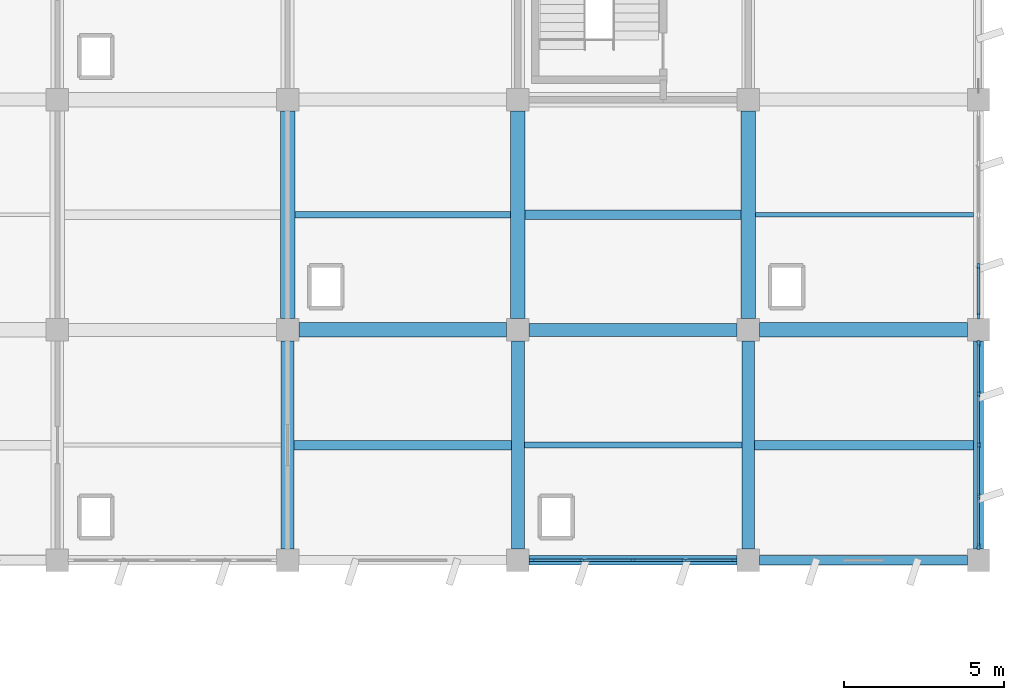
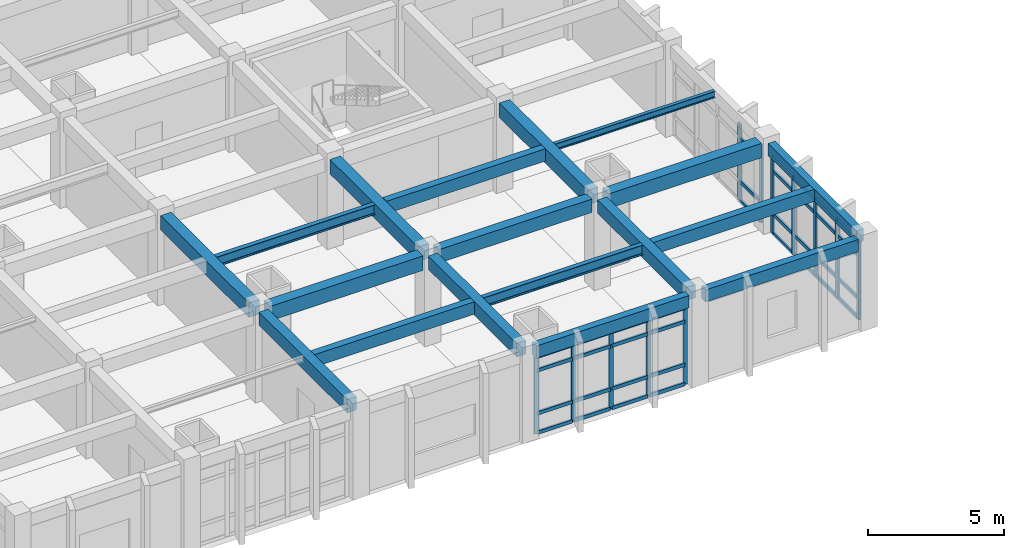
# One storey, part 25 of 70: 50 members, 15 beams, 3 elements without a shape of their own.
"""IFC4 building model written with IfcOpenShell, lengths in metres."""

import ifcopenshell
import ifcopenshell.guid

model = None  # the IFC model being written
_history = None  # IfcOwnerHistory: only IFC2X3 demands one
_inside = {}  # id of a spatial element -> (the spatial element, [elements in it])
_under = {}  # id of a project, library or spatial element -> (it, [spatial elements below it])
_declared = {}  # id of a project -> (the project, [libraries it declares])
_typed = {}  # id of a type object -> (the type object, [elements of that type])
_made_of = {}  # id of a material, layer set ... -> (it, [elements and type objects made of it])


def new_model(schema):
    """Start an empty IFC model of exactly this schema.

    Asked for "IFC4X3", IfcOpenShell would pick the latest addendum, in which some entities
    have other attributes; the version numbers below select the first issue.
    IFC2X3 requires an IfcOwnerHistory on every rooted entity: one is made here for all.
    """
    global model, _history
    if schema == "IFC4X3":
        model = ifcopenshell.file(schema_version=(4, 3, 0, 0))
    else:
        model = ifcopenshell.file(schema=schema)
    _inside.clear()
    _under.clear()
    _declared.clear()
    _typed.clear()
    _made_of.clear()
    _history = None
    if model.schema == "IFC2X3":
        org = make("IfcOrganization", Name="unknown")
        user = make(
            "IfcPersonAndOrganization",
            ThePerson=make("IfcPerson", FamilyName="unknown"),
            TheOrganization=org,
        )
        app = make(
            "IfcApplication",
            ApplicationDeveloper=org,
            Version="unknown",
            ApplicationFullName="unknown",
            ApplicationIdentifier="unknown",
        )
        _history = make(
            "IfcOwnerHistory",
            OwningUser=user,
            OwningApplication=app,
            ChangeAction="ADDED",
            CreationDate=0,
        )
    return model


def make(cls, **values):
    """One entity of the class cls with the attributes given. An attribute that is None is left unset."""
    return model.create_entity(
        cls, **{name: value for name, value in values.items() if value is not None}
    )


def rooted(cls, **values):
    """An entity with a GlobalId (a new one), such as an element, a storey or a relation."""
    return make(cls, GlobalId=ifcopenshell.guid.new(), OwnerHistory=_history, **values)


def si_unit(unit_type, name, prefix=None):
    """IfcSIUnit, for example si_unit("LENGTHUNIT", "METRE", prefix="MILLI")."""
    return make("IfcSIUnit", UnitType=unit_type, Prefix=prefix, Name=name)


def assignment(units):
    """IfcUnitAssignment: the units of a project."""
    return None if units is None else make("IfcUnitAssignment", Units=units)


def point(xyz):
    """IfcCartesianPoint."""
    return None if xyz is None else make("IfcCartesianPoint", Coordinates=xyz)


def direction(xyz):
    """IfcDirection."""
    return None if xyz is None else make("IfcDirection", DirectionRatios=xyz)


def frame(location, z_axis=None, x_axis=None):
    """IfcAxis2Placement3D, a coordinate frame: its origin and axes. An axis left out is left unset."""
    return make(
        "IfcAxis2Placement3D",
        Location=point(location),
        Axis=direction(z_axis),
        RefDirection=direction(x_axis),
    )


def frame_2d(location, x_axis=None):
    """IfcAxis2Placement2D, a coordinate frame in the plane: its origin and x axis."""
    return make(
        "IfcAxis2Placement2D", Location=point(location), RefDirection=direction(x_axis)
    )


def origin():
    """The frame at (0, 0, 0) with its axes left unset."""
    return frame((0.0, 0.0, 0.0))


def origin_2d():
    """The frame at (0, 0) in the plane with its x axis left unset."""
    return frame_2d((0.0, 0.0))


def place(relative_to, where):
    """IfcLocalPlacement: puts the frame where relative to a parent placement (None: the world)."""
    return make(
        "IfcLocalPlacement", PlacementRelTo=relative_to, RelativePlacement=where
    )


def context(
    kind, dimensions, precision=None, world=None, true_north=None, identifier=None
):
    """IfcGeometricRepresentationContext, for example the 3D "Model" context."""
    return make(
        "IfcGeometricRepresentationContext",
        ContextIdentifier=identifier,
        ContextType=kind,
        CoordinateSpaceDimension=dimensions,
        Precision=precision,
        WorldCoordinateSystem=world,
        TrueNorth=true_north,
    )


def subcontext(parent, identifier, kind, view, scale=None):
    """IfcGeometricRepresentationSubContext, for example "Body" below "Model"."""
    return make(
        "IfcGeometricRepresentationSubContext",
        ContextIdentifier=identifier,
        ContextType=kind,
        ParentContext=parent,
        TargetScale=scale,
        TargetView=view,
    )


def project(units=None, contexts=None):
    """IfcProject with its units and contexts."""
    return rooted(
        "IfcProject",
        Name="project",
        RepresentationContexts=contexts,
        UnitsInContext=assignment(units),
    )


def spatial(cls, under=None, at=None, **own):
    """A site, building, storey or space (cls), placed at a placement, below another one or the project."""
    s = rooted(cls, ObjectPlacement=at, **own)
    if under is not None:
        _under.setdefault(under.id(), (under, []))[1].append(s)
    return s


def profile(cls, at=None, kind="AREA", **sizes):
    """A parametric profile (cls). Its sizes go by their IFC names, for example OverallWidth=200.0."""
    return make(cls, ProfileType=kind, Position=at, **sizes)


def rectangle(**sizes):
    """IfcRectangleProfileDef."""
    return profile("IfcRectangleProfileDef", **sizes)


def i_section(**sizes):
    """IfcIShapeProfileDef."""
    return profile("IfcIShapeProfileDef", **sizes)


def extrude(swept, where, along, depth):
    """IfcExtrudedAreaSolid: the profile swept, set in the frame where, extruded along a direction by depth."""
    return make(
        "IfcExtrudedAreaSolid",
        SweptArea=swept,
        Position=where,
        ExtrudedDirection=direction(along),
        Depth=depth,
    )


def shape(context_of_items, identifier, shape_type, items):
    """IfcShapeRepresentation: the items that make up one representation, for example the "Body"."""
    return make(
        "IfcShapeRepresentation",
        ContextOfItems=context_of_items,
        RepresentationIdentifier=identifier,
        RepresentationType=shape_type,
        Items=items,
    )


def material(Name=None, Category=None):
    """IfcMaterial."""
    return make("IfcMaterial", Name=Name, Category=Category)


def layer(
    of_material, thickness, ventilated=None, Name=None, Category=None, Priority=None
):
    """IfcMaterialLayer: one layer of a wall or slab, of a material (None: an air gap)."""
    return make(
        "IfcMaterialLayer",
        Material=of_material,
        LayerThickness=thickness,
        IsVentilated=ventilated,
        Name=Name,
        Category=Category,
        Priority=Priority,
    )


def layer_set(layers, Name=None):
    """IfcMaterialLayerSet."""
    return make("IfcMaterialLayerSet", MaterialLayers=layers, LayerSetName=Name)


def material_profile(
    of_material, cross_section, Name=None, Category=None, Priority=None
):
    """IfcMaterialProfile: a cross section and its material."""
    return make(
        "IfcMaterialProfile",
        Name=Name,
        Material=of_material,
        Profile=cross_section,
        Priority=Priority,
        Category=Category,
    )


def profile_set(profiles, Name=None, composite=None):
    """IfcMaterialProfileSet."""
    return make(
        "IfcMaterialProfileSet",
        Name=Name,
        MaterialProfiles=profiles,
        CompositeProfile=composite,
    )


def made_of(thing, what):
    """Note that an element or type object is made of a material, layer set ...; save() writes the relation."""
    if what is not None:
        _made_of.setdefault(what.id(), (what, []))[1].append(thing)
    return thing


def type_object(cls, material=None, **own):
    """A type object (cls), such as IfcWallType, which elements share."""
    return made_of(rooted(cls, **own), material)


def element(
    cls,
    number,
    at=None,
    inside=None,
    cuts=None,
    type_object=None,
    material=None,
    context=None,
    identifier="Body",
    shape_type=None,
    held_by="IfcProductDefinitionShape",
    body=None,
    shapes=None,
    **own,
):
    """One element of the class cls, such as IfcWall. Its Tag is "e" and its number.

    at: its placement. inside: the storey or other place that contains it. cuts: it is an
    opening in that element (IfcRelVoidsElement). A single representation is given by context,
    identifier, shape_type and body (its items); several are given by shapes. held_by: the class
    of the entity that holds the representations. save() writes the other relations.
    """
    e = rooted(cls, Tag="e%d" % number, ObjectPlacement=at, **own)
    if body is not None:
        shapes = [shape(context, identifier, shape_type, body)]
    if shapes is not None:
        e.Representation = make(held_by, Representations=shapes)
    if inside is not None:
        _inside.setdefault(inside.id(), (inside, []))[1].append(e)
    if cuts is not None:
        rooted(
            "IfcRelVoidsElement", RelatingBuildingElement=cuts, RelatedOpeningElement=e
        )
    if type_object is not None:
        _typed.setdefault(type_object.id(), (type_object, []))[1].append(e)
    return made_of(e, material)


def aggregate(whole, parts):
    """IfcRelAggregates: a whole, such as a stair, and the parts it consists of."""
    return rooted("IfcRelAggregates", RelatingObject=whole, RelatedObjects=parts)


def save(model, path):
    """Write the relations noted so far, then the file.

    IfcRelAggregates (storeys below a building ...), IfcRelContainedInSpatialStructure (elements
    in a storey), IfcRelDefinesByType, IfcRelAssociatesMaterial and IfcRelDeclares: one each for
    every whole, place, type object, material and project.
    """
    for whole, parts in _under.values():
        aggregate(whole, parts)
    for where, things in _inside.values():
        rooted(
            "IfcRelContainedInSpatialStructure",
            RelatedElements=things,
            RelatingStructure=where,
        )
    for kind, things in _typed.values():
        rooted("IfcRelDefinesByType", RelatedObjects=things, RelatingType=kind)
    for what, things in _made_of.values():
        rooted("IfcRelAssociatesMaterial", RelatedObjects=things, RelatingMaterial=what)
    for by, libraries in _declared.values():
        rooted("IfcRelDeclares", RelatingContext=by, RelatedDefinitions=libraries)
    model.write(path)


model = new_model("IFC4")

# Units and contexts
model_context = context("Model", 3, precision=1e-05, world=origin(), true_north=direction((0.0, 1.0)))
body_context = subcontext(model_context, "Body", "Model", "MODEL_VIEW")
ifc_project = project(units=[si_unit("LENGTHUNIT", "METRE"), si_unit("AREAUNIT", "SQUARE_METRE"), si_unit("VOLUMEUNIT", "CUBIC_METRE"), si_unit("PLANEANGLEUNIT", "RADIAN"), si_unit("MASSUNIT", "GRAM", prefix="KILO")], contexts=[model_context])

# Site, building, storey
site_placement = place(None, origin())
site = spatial("IfcSite", under=ifc_project, at=site_placement, CompositionType="ELEMENT")
building_placement = place(site_placement, origin())
building = spatial("IfcBuilding", under=site, at=building_placement, Name="Kavelor Marine Aquarium", CompositionType="ELEMENT")
storey_placement = place(building_placement, frame((0.0, 0.0, 9.179931640625)))
storey = spatial("IfcBuildingStorey", under=building, at=storey_placement, Name="L02", CompositionType="ELEMENT", Elevation=9.179931640625)

# Beams
ifc_material_1 = material(Name="Concrete C40/50", Category="concrete")
ifc_material_profile_1 = material_profile(ifc_material_1, rectangle(XDim=0.449951171875, YDim=0.64990234375, at=origin_2d()), Name="RC-BM 450x650")
ifc_profile_set_1 = profile_set([ifc_material_profile_1], Name="Concrete C40/50")
beam_type_1 = type_object("IfcBeamType", Name="BM-B3", PredefinedType="BEAM", material=ifc_profile_set_1)
for number, where, z_axis, x_axis, name in (
    (1, (133.14990234375, 60.39990234375, 3.695068359375), (1.0, 0.0, 0.0), (0.0, 1.0, 0.0), "bm:x:L02:L03:18_08"),
    (2, (147.550048828125, 60.39990234375, 3.715087890625), (1.0, 0.0, 0.0), (0.0, 1.0, 0.0), "bm:x:L02:L03:20_08"),
    (3, (132.800048828125, 60.75, 3.695068359375), (0.0, 1.0, 0.0), (-1.0, 0.0, 0.0), "bm:y:L02:L03:18_08"),
    (4, (140.0, 60.75, 3.695068359375), (0.0, 1.0, 0.0), (-1.0, 0.0, 0.0), "bm:y:L02:L03:19_08"),
    (5, (147.199951171875, 60.75, 3.715087890625), (0.0, 1.0, 0.0), (-1.0, 0.0, 0.0), "bm:y:L02:L03:20_08"),
):
    element("IfcBeam", number, at=place(storey_placement, frame(where, z_axis=z_axis, x_axis=x_axis)), inside=storey, type_object=beam_type_1, Name=name, PredefinedType="BEAM", context=body_context, shape_type="SweptSolid", body=[
        extrude(rectangle(XDim=0.449951171875, YDim=0.64990234375, at=origin_2d()), origin(), (0.0, 0.0, 1.0), 6.5),
    ])
ifc_material_2 = material(Name="Concrete C40/50", Category="concrete")
ifc_material_profile_2 = material_profile(ifc_material_2, rectangle(XDim=0.39990234375, YDim=0.60009765625, at=origin_2d()), Name="RC-BM 400x600")
ifc_profile_set_2 = profile_set([ifc_material_profile_2], Name="Concrete C40/50")
beam_type_2 = type_object("IfcBeamType", Name="BM-B4", PredefinedType="BEAM", material=ifc_profile_set_2)
for number, where, z_axis, x_axis, name in (
    (6, (140.35009765625, 60.39990234375, 3.739990234375), (1.0, 0.0, 0.0), (0.0, 1.0, 0.0), "bm:x:L02:L03:19_08"),
    (7, (132.800048828125, 53.550048828125, 3.739990234375), (0.0, 1.0, 0.0), (-1.0, 0.0, 0.0), "bm:y:L02:L03:18_07"),
    (8, (140.0, 53.550048828125, 3.739990234375), (0.0, 1.0, 0.0), (-1.0, 0.0, 0.0), "bm:y:L02:L03:19_07"),
    (9, (147.199951171875, 53.550048828125, 3.739990234375), (0.0, 1.0, 0.0), (-1.0, 0.0, 0.0), "bm:y:L02:L03:20_07"),
):
    element("IfcBeam", number, at=place(storey_placement, frame(where, z_axis=z_axis, x_axis=x_axis)), inside=storey, type_object=beam_type_2, Name=name, PredefinedType="BEAM", context=body_context, shape_type="SweptSolid", body=[
        extrude(rectangle(XDim=0.39990234375, YDim=0.60009765625, at=origin_2d()), origin(), (0.0, 0.0, 1.0), 6.5),
    ])
ifc_material_3 = material(Name="Concrete C40/50", Category="concrete")
ifc_material_profile_3 = material_profile(ifc_material_3, rectangle(XDim=0.300048828125, YDim=0.550048828125, at=origin_2d()), Name="RC-JS 300x550")
ifc_profile_set_3 = profile_set([ifc_material_profile_3], Name="Concrete C40/50")
beam_type_3 = type_object("IfcBeamType", Name="BM-JS2", PredefinedType="JOIST", material=ifc_profile_set_3)
beam_1_placement = place(storey_placement, frame((133.0, 56.800048828125, 3.76513671875), z_axis=(1.0, 0.0, 0.0), x_axis=(0.0, 1.0, 0.0)))
element("IfcBeam", 10, at=beam_1_placement, inside=storey, type_object=beam_type_3, Name="js:L02:L03:18_07", PredefinedType="JOIST", context=body_context, shape_type="SweptSolid", body=[
    extrude(rectangle(XDim=0.300048828125, YDim=0.550048828125, at=origin_2d()), origin(), (0.0, 0.0, 1.0), 6.800048828125),
])
beam_2_placement = place(storey_placement, frame((140.22509765625, 64.0, 3.76513671875), z_axis=(1.0, 0.0, 0.0), x_axis=(0.0, 1.0, 0.0)))
element("IfcBeam", 11, at=beam_2_placement, inside=storey, type_object=beam_type_3, Name="js:L02:L03:19_08", PredefinedType="JOIST", context=body_context, shape_type="SweptSolid", body=[
    extrude(rectangle(XDim=0.300048828125, YDim=0.550048828125, at=origin_2d()), origin(), (0.0, 0.0, 1.0), 6.75),
])
beam_3_placement = place(storey_placement, frame((147.39990234375, 56.800048828125, 3.76513671875), z_axis=(1.0, 0.0, 0.0), x_axis=(0.0, 1.0, 0.0)))
element("IfcBeam", 12, at=beam_3_placement, inside=storey, type_object=beam_type_3, Name="js:L02:L03:20_07", PredefinedType="JOIST", context=body_context, shape_type="SweptSolid", body=[
    extrude(rectangle(XDim=0.300048828125, YDim=0.550048828125, at=origin_2d()), origin(), (0.0, 0.0, 1.0), 6.85009765625),
])
ifc_material_4 = material(Name="Concrete C40/50", Category="concrete")
ifc_material_profile_4 = material_profile(ifc_material_4, rectangle(XDim=0.300048828125, YDim=0.550048828125, at=origin_2d()), Name="RC-SP 300x550")
ifc_profile_set_4 = profile_set([ifc_material_profile_4], Name="Concrete C40/50")
beam_type_4 = type_object("IfcBeamType", Name="BM-SP2", PredefinedType="SPANDREL", material=ifc_profile_set_4)
for number, where, z_axis, x_axis, name in (
    (13, (140.35009765625, 53.199951171875, 3.76513671875), (1.0, 0.0, 0.0), (0.0, 1.0, 0.0), "bm:x:L02:L03:19_07"),
    (14, (147.550048828125, 53.199951171875, 3.76513671875), (1.0, 0.0, 0.0), (0.0, 1.0, 0.0), "bm:x:L02:L03:20_07"),
    (15, (154.39990234375, 53.550048828125, 3.76513671875), (0.0, 1.0, 0.0), (-1.0, 0.0, 0.0), "bm:y:L02:L03:21_07"),
):
    element("IfcBeam", number, at=place(storey_placement, frame(where, z_axis=z_axis, x_axis=x_axis)), inside=storey, type_object=beam_type_4, Name=name, PredefinedType="SPANDREL", context=body_context, shape_type="SweptSolid", body=[
        extrude(rectangle(XDim=0.300048828125, YDim=0.550048828125, at=origin_2d()), origin(), (0.0, 0.0, 1.0), 6.5),
    ])

# Curtain wall, members
ifc_material_5 = material(Name="Thermally Broken Aluminium and Low-E Glass", Category="aluminium")
ifc_layer_1 = layer(ifc_material_5, 0.219970703125)
ifc_layer_set_1 = layer_set([ifc_layer_1], Name="CW-SYS10")
curtain_wall_type_1 = type_object("IfcCurtainWallType", Name="CW-SYS10", PredefinedType="USERDEFINED", material=ifc_layer_set_1)
curtain_wall_1_placement = place(storey_placement, origin())
curtain_wall_1 = element("IfcCurtainWall", 16, at=curtain_wall_1_placement, inside=storey, type_object=curtain_wall_type_1, Name="cw:x:L02:19_07", ObjectType="Curtain Wall", PredefinedType="USERDEFINED")
ifc_material_6 = material(Name="Anodised Aluminium Alloy 6063-T6", Category="aluminium")
ifc_material_profile_5 = material_profile(ifc_material_6, rectangle(XDim=0.074951171875, YDim=0.179931640625, at=origin_2d()), Name="CW-MUL 75x180")
ifc_profile_set_5 = profile_set([ifc_material_profile_5], Name="Anodised Aluminium Alloy 6063-T6")
member_type_1 = type_object("IfcMemberType", Name="CWM-1", PredefinedType="MULLION", material=ifc_profile_set_5)
member_1_placement = place(storey_placement, frame((146.767578125, 53.199951171875, 0.0), z_axis=(0.0, 0.0, 1.0), x_axis=(0.0, -1.0, 0.0)))
member_1 = element("IfcMember", 17, at=member_1_placement, type_object=member_type_1, Name="CW10 mullion 1", PredefinedType="MULLION", context=body_context, shape_type="SweptSolid", body=[
    extrude(rectangle(XDim=0.074951171875, YDim=0.179931640625, at=origin_2d()), origin(), (0.0, 0.0, 1.0), 3.47998046875),
])
member_2_placement = place(storey_placement, frame((145.202392578125, 53.199951171875, 0.0), z_axis=(0.0, 0.0, 1.0), x_axis=(0.0, -1.0, 0.0)))
member_2 = element("IfcMember", 18, at=member_2_placement, type_object=member_type_1, Name="CW10 mullion 2", PredefinedType="MULLION", context=body_context, shape_type="SweptSolid", body=[
    extrude(rectangle(XDim=0.074951171875, YDim=0.179931640625, at=origin_2d()), origin(), (0.0, 0.0, 1.0), 3.47998046875),
])
member_3_placement = place(storey_placement, frame((143.60009765625, 53.199951171875, 0.0), z_axis=(0.0, 0.0, 1.0), x_axis=(0.0, -1.0, 0.0)))
member_3 = element("IfcMember", 19, at=member_3_placement, type_object=member_type_1, Name="CW10 mullion 3", PredefinedType="MULLION", context=body_context, shape_type="SweptSolid", body=[
    extrude(rectangle(XDim=0.074951171875, YDim=0.179931640625, at=origin_2d()), origin(), (0.0, 0.0, 1.0), 3.47998046875),
])
member_4_placement = place(storey_placement, frame((141.99755859375, 53.199951171875, 0.0), z_axis=(0.0, 0.0, 1.0), x_axis=(0.0, -1.0, 0.0)))
member_4 = element("IfcMember", 20, at=member_4_placement, type_object=member_type_1, Name="CW10 mullion 4", PredefinedType="MULLION", context=body_context, shape_type="SweptSolid", body=[
    extrude(rectangle(XDim=0.074951171875, YDim=0.179931640625, at=origin_2d()), origin(), (0.0, 0.0, 1.0), 3.47998046875),
])
member_5_placement = place(storey_placement, frame((140.4326171875, 53.199951171875, 0.0), z_axis=(0.0, 0.0, 1.0), x_axis=(0.0, -1.0, 0.0)))
member_5 = element("IfcMember", 21, at=member_5_placement, type_object=member_type_1, Name="CW10 mullion 5", PredefinedType="MULLION", context=body_context, shape_type="SweptSolid", body=[
    extrude(rectangle(XDim=0.074951171875, YDim=0.179931640625, at=origin_2d()), origin(), (0.0, 0.0, 1.0), 3.47998046875),
])

ifc_material_7 = material(Name="Thermally Broken Aluminium and Low-E Glass", Category="aluminium")
ifc_layer_2 = layer(ifc_material_7, 0.26806640625)
ifc_layer_set_2 = layer_set([ifc_layer_2], Name="CW-SYS16")
curtain_wall_type_2 = type_object("IfcCurtainWallType", Name="CW-SYS16", PredefinedType="USERDEFINED", material=ifc_layer_set_2)
curtain_wall_2_placement = place(storey_placement, origin())
curtain_wall_2 = element("IfcCurtainWall", 22, at=curtain_wall_2_placement, inside=storey, type_object=curtain_wall_type_2, Name="cw:y:L02:21_08", ObjectType="Curtain Wall", PredefinedType="USERDEFINED")
member_6_placement = place(storey_placement, frame((154.39990234375, 60.83251953125, 0.0), z_axis=(0.0, 0.0, 1.0), x_axis=(-1.0, 0.0, 0.0)))
member_6 = element("IfcMember", 23, at=member_6_placement, type_object=member_type_1, Name="CW16 mullion 1", PredefinedType="MULLION", context=body_context, shape_type="SweptSolid", body=[
    extrude(rectangle(XDim=0.074951171875, YDim=0.179931640625, at=origin_2d()), origin(), (0.0, 0.0, 1.0), 3.47998046875),
])
member_7_placement = place(storey_placement, frame((154.39990234375, 62.3974609375, 0.0), z_axis=(0.0, 0.0, 1.0), x_axis=(-1.0, 0.0, 0.0)))
member_7 = element("IfcMember", 24, at=member_7_placement, type_object=member_type_1, Name="CW16 mullion 2", PredefinedType="MULLION", context=body_context, shape_type="SweptSolid", body=[
    extrude(rectangle(XDim=0.074951171875, YDim=0.179931640625, at=origin_2d()), origin(), (0.0, 0.0, 1.0), 3.47998046875),
])

ifc_material_8 = material(Name="Thermally Broken Aluminium and Low-E Glass", Category="aluminium")
ifc_layer_3 = layer(ifc_material_8, 0.260009765625)
ifc_layer_set_3 = layer_set([ifc_layer_3], Name="CW-SYS15")
curtain_wall_type_3 = type_object("IfcCurtainWallType", Name="CW-SYS15", PredefinedType="USERDEFINED", material=ifc_layer_set_3)
curtain_wall_3_placement = place(storey_placement, origin())
curtain_wall_3 = element("IfcCurtainWall", 25, at=curtain_wall_3_placement, inside=storey, type_object=curtain_wall_type_3, Name="cw:y:L02:21_07", ObjectType="Curtain Wall", PredefinedType="USERDEFINED")
ifc_material_9 = material(Name="Anodised Aluminium Alloy 6063-T6", Category="aluminium")
ifc_material_profile_6 = material_profile(ifc_material_9, rectangle(XDim=0.0849609375, YDim=0.18994140625, at=origin_2d()), Name="CW-MUL 85x190")
ifc_profile_set_6 = profile_set([ifc_material_profile_6], Name="Anodised Aluminium Alloy 6063-T6")
member_type_2 = type_object("IfcMemberType", Name="CWM-3", PredefinedType="MULLION", material=ifc_profile_set_6)
member_8_placement = place(storey_placement, frame((154.39990234375, 53.625, 0.0), z_axis=(0.0, 0.0, 1.0), x_axis=(-1.0, 0.0, 0.0)))
member_8 = element("IfcMember", 26, at=member_8_placement, type_object=member_type_2, Name="CW15 mullion 1", PredefinedType="MULLION", context=body_context, shape_type="SweptSolid", body=[
    extrude(rectangle(XDim=0.0849609375, YDim=0.18994140625, at=origin_2d()), origin(), (0.0, 0.0, 1.0), 3.47998046875),
])
member_9_placement = place(storey_placement, frame((154.39990234375, 55.197509765625, 0.0), z_axis=(0.0, 0.0, 1.0), x_axis=(-1.0, 0.0, 0.0)))
member_9 = element("IfcMember", 27, at=member_9_placement, type_object=member_type_2, Name="CW15 mullion 2", PredefinedType="MULLION", context=body_context, shape_type="SweptSolid", body=[
    extrude(rectangle(XDim=0.0849609375, YDim=0.18994140625, at=origin_2d()), origin(), (0.0, 0.0, 1.0), 3.47998046875),
])
member_10_placement = place(storey_placement, frame((154.39990234375, 56.800048828125, 0.0), z_axis=(0.0, 0.0, 1.0), x_axis=(-1.0, 0.0, 0.0)))
member_10 = element("IfcMember", 28, at=member_10_placement, type_object=member_type_2, Name="CW15 mullion 3", PredefinedType="MULLION", context=body_context, shape_type="SweptSolid", body=[
    extrude(rectangle(XDim=0.0849609375, YDim=0.18994140625, at=origin_2d()), origin(), (0.0, 0.0, 1.0), 3.47998046875),
])
member_11_placement = place(storey_placement, frame((154.39990234375, 58.402587890625, 0.0), z_axis=(0.0, 0.0, 1.0), x_axis=(-1.0, 0.0, 0.0)))
member_11 = element("IfcMember", 29, at=member_11_placement, type_object=member_type_2, Name="CW15 mullion 4", PredefinedType="MULLION", context=body_context, shape_type="SweptSolid", body=[
    extrude(rectangle(XDim=0.0849609375, YDim=0.18994140625, at=origin_2d()), origin(), (0.0, 0.0, 1.0), 3.47998046875),
])
member_12_placement = place(storey_placement, frame((154.39990234375, 59.97509765625, 0.0), z_axis=(0.0, 0.0, 1.0), x_axis=(-1.0, 0.0, 0.0)))
member_12 = element("IfcMember", 30, at=member_12_placement, type_object=member_type_2, Name="CW15 mullion 5", PredefinedType="MULLION", context=body_context, shape_type="SweptSolid", body=[
    extrude(rectangle(XDim=0.0849609375, YDim=0.18994140625, at=origin_2d()), origin(), (0.0, 0.0, 1.0), 3.47998046875),
])
ifc_material_10 = material(Name="Anodised Aluminium Alloy 6063-T6", Category="aluminium")
ifc_material_profile_7 = material_profile(ifc_material_10, rectangle(XDim=0.080078125, YDim=0.155029296875, at=origin_2d()), Name="CW-TRN 80x155")
ifc_profile_set_7 = profile_set([ifc_material_profile_7], Name="Anodised Aluminium Alloy 6063-T6")
member_type_3 = type_object("IfcMemberType", Name="CWT-2", PredefinedType="USERDEFINED", material=ifc_profile_set_7)
member_13_placement = place(storey_placement, frame((154.39990234375, 53.655029296875, 0.032470703125), z_axis=(0.0, 1.0, 0.0), x_axis=(-1.0, 0.0, 0.0)))
member_13 = element("IfcMember", 31, at=member_13_placement, type_object=member_type_3, Name="CW15 transom 1.1", ObjectType="TRANSOM", PredefinedType="USERDEFINED", context=body_context, shape_type="SweptSolid", body=[
    extrude(rectangle(XDim=0.080078125, YDim=0.155029296875, at=origin_2d()), origin(), (0.0, 0.0, 1.0), 1.512451171875),
])
member_14_placement = place(storey_placement, frame((154.39990234375, 53.655029296875, 0.900146484375), z_axis=(0.0, 1.0, 0.0), x_axis=(-1.0, 0.0, 0.0)))
member_14 = element("IfcMember", 32, at=member_14_placement, type_object=member_type_3, Name="CW15 transom 1.2", ObjectType="TRANSOM", PredefinedType="USERDEFINED", context=body_context, shape_type="SweptSolid", body=[
    extrude(rectangle(XDim=0.080078125, YDim=0.155029296875, at=origin_2d()), origin(), (0.0, 0.0, 1.0), 1.512451171875),
])
member_15_placement = place(storey_placement, frame((154.39990234375, 53.655029296875, 2.830078125), z_axis=(0.0, 1.0, 0.0), x_axis=(-1.0, 0.0, 0.0)))
member_15 = element("IfcMember", 33, at=member_15_placement, type_object=member_type_3, Name="CW15 transom 1.3", ObjectType="TRANSOM", PredefinedType="USERDEFINED", context=body_context, shape_type="SweptSolid", body=[
    extrude(rectangle(XDim=0.080078125, YDim=0.155029296875, at=origin_2d()), origin(), (0.0, 0.0, 1.0), 1.512451171875),
])
member_16_placement = place(storey_placement, frame((154.39990234375, 53.655029296875, 3.447509765625), z_axis=(0.0, 1.0, 0.0), x_axis=(-1.0, 0.0, 0.0)))
member_16 = element("IfcMember", 34, at=member_16_placement, type_object=member_type_3, Name="CW15 transom 1.4", ObjectType="TRANSOM", PredefinedType="USERDEFINED", context=body_context, shape_type="SweptSolid", body=[
    extrude(rectangle(XDim=0.080078125, YDim=0.155029296875, at=origin_2d()), origin(), (0.0, 0.0, 1.0), 1.512451171875),
])
member_17_placement = place(storey_placement, frame((154.39990234375, 55.2275390625, 0.032470703125), z_axis=(0.0, 1.0, 0.0), x_axis=(-1.0, 0.0, 0.0)))
member_17 = element("IfcMember", 35, at=member_17_placement, type_object=member_type_3, Name="CW15 transom 2.1", ObjectType="TRANSOM", PredefinedType="USERDEFINED", context=body_context, shape_type="SweptSolid", body=[
    extrude(rectangle(XDim=0.080078125, YDim=0.155029296875, at=origin_2d()), origin(), (0.0, 0.0, 1.0), 1.54248046875),
])
member_18_placement = place(storey_placement, frame((154.39990234375, 55.2275390625, 0.900146484375), z_axis=(0.0, 1.0, 0.0), x_axis=(-1.0, 0.0, 0.0)))
member_18 = element("IfcMember", 36, at=member_18_placement, type_object=member_type_3, Name="CW15 transom 2.2", ObjectType="TRANSOM", PredefinedType="USERDEFINED", context=body_context, shape_type="SweptSolid", body=[
    extrude(rectangle(XDim=0.080078125, YDim=0.155029296875, at=origin_2d()), origin(), (0.0, 0.0, 1.0), 1.54248046875),
])
member_19_placement = place(storey_placement, frame((154.39990234375, 55.2275390625, 2.830078125), z_axis=(0.0, 1.0, 0.0), x_axis=(-1.0, 0.0, 0.0)))
member_19 = element("IfcMember", 37, at=member_19_placement, type_object=member_type_3, Name="CW15 transom 2.3", ObjectType="TRANSOM", PredefinedType="USERDEFINED", context=body_context, shape_type="SweptSolid", body=[
    extrude(rectangle(XDim=0.080078125, YDim=0.155029296875, at=origin_2d()), origin(), (0.0, 0.0, 1.0), 1.54248046875),
])
member_20_placement = place(storey_placement, frame((154.39990234375, 55.2275390625, 3.447509765625), z_axis=(0.0, 1.0, 0.0), x_axis=(-1.0, 0.0, 0.0)))
member_20 = element("IfcMember", 38, at=member_20_placement, type_object=member_type_3, Name="CW15 transom 2.4", ObjectType="TRANSOM", PredefinedType="USERDEFINED", context=body_context, shape_type="SweptSolid", body=[
    extrude(rectangle(XDim=0.080078125, YDim=0.155029296875, at=origin_2d()), origin(), (0.0, 0.0, 1.0), 1.54248046875),
])
member_21_placement = place(storey_placement, frame((154.39990234375, 56.830078125, 0.032470703125), z_axis=(0.0, 1.0, 0.0), x_axis=(-1.0, 0.0, 0.0)))
member_21 = element("IfcMember", 39, at=member_21_placement, type_object=member_type_3, Name="CW15 transom 3.1", ObjectType="TRANSOM", PredefinedType="USERDEFINED", context=body_context, shape_type="SweptSolid", body=[
    extrude(rectangle(XDim=0.080078125, YDim=0.155029296875, at=origin_2d()), origin(), (0.0, 0.0, 1.0), 1.54248046875),
])
member_22_placement = place(storey_placement, frame((154.39990234375, 56.830078125, 0.900146484375), z_axis=(0.0, 1.0, 0.0), x_axis=(-1.0, 0.0, 0.0)))
member_22 = element("IfcMember", 40, at=member_22_placement, type_object=member_type_3, Name="CW15 transom 3.2", ObjectType="TRANSOM", PredefinedType="USERDEFINED", context=body_context, shape_type="SweptSolid", body=[
    extrude(rectangle(XDim=0.080078125, YDim=0.155029296875, at=origin_2d()), origin(), (0.0, 0.0, 1.0), 1.54248046875),
])
member_23_placement = place(storey_placement, frame((154.39990234375, 56.830078125, 2.830078125), z_axis=(0.0, 1.0, 0.0), x_axis=(-1.0, 0.0, 0.0)))
member_23 = element("IfcMember", 41, at=member_23_placement, type_object=member_type_3, Name="CW15 transom 3.3", ObjectType="TRANSOM", PredefinedType="USERDEFINED", context=body_context, shape_type="SweptSolid", body=[
    extrude(rectangle(XDim=0.080078125, YDim=0.155029296875, at=origin_2d()), origin(), (0.0, 0.0, 1.0), 1.54248046875),
])
member_24_placement = place(storey_placement, frame((154.39990234375, 56.830078125, 3.447509765625), z_axis=(0.0, 1.0, 0.0), x_axis=(-1.0, 0.0, 0.0)))
member_24 = element("IfcMember", 42, at=member_24_placement, type_object=member_type_3, Name="CW15 transom 3.4", ObjectType="TRANSOM", PredefinedType="USERDEFINED", context=body_context, shape_type="SweptSolid", body=[
    extrude(rectangle(XDim=0.080078125, YDim=0.155029296875, at=origin_2d()), origin(), (0.0, 0.0, 1.0), 1.54248046875),
])
member_25_placement = place(storey_placement, frame((154.39990234375, 58.4326171875, 0.032470703125), z_axis=(0.0, 1.0, 0.0), x_axis=(-1.0, 0.0, 0.0)))
member_25 = element("IfcMember", 43, at=member_25_placement, type_object=member_type_3, Name="CW15 transom 4.1", ObjectType="TRANSOM", PredefinedType="USERDEFINED", context=body_context, shape_type="SweptSolid", body=[
    extrude(rectangle(XDim=0.080078125, YDim=0.155029296875, at=origin_2d()), origin(), (0.0, 0.0, 1.0), 1.512451171875),
])
member_26_placement = place(storey_placement, frame((154.39990234375, 58.4326171875, 0.900146484375), z_axis=(0.0, 1.0, 0.0), x_axis=(-1.0, 0.0, 0.0)))
member_26 = element("IfcMember", 44, at=member_26_placement, type_object=member_type_3, Name="CW15 transom 4.2", ObjectType="TRANSOM", PredefinedType="USERDEFINED", context=body_context, shape_type="SweptSolid", body=[
    extrude(rectangle(XDim=0.080078125, YDim=0.155029296875, at=origin_2d()), origin(), (0.0, 0.0, 1.0), 1.512451171875),
])
member_27_placement = place(storey_placement, frame((154.39990234375, 58.4326171875, 2.830078125), z_axis=(0.0, 1.0, 0.0), x_axis=(-1.0, 0.0, 0.0)))
member_27 = element("IfcMember", 45, at=member_27_placement, type_object=member_type_3, Name="CW15 transom 4.3", ObjectType="TRANSOM", PredefinedType="USERDEFINED", context=body_context, shape_type="SweptSolid", body=[
    extrude(rectangle(XDim=0.080078125, YDim=0.155029296875, at=origin_2d()), origin(), (0.0, 0.0, 1.0), 1.512451171875),
])
member_28_placement = place(storey_placement, frame((154.39990234375, 58.4326171875, 3.447509765625), z_axis=(0.0, 1.0, 0.0), x_axis=(-1.0, 0.0, 0.0)))
member_28 = element("IfcMember", 46, at=member_28_placement, type_object=member_type_3, Name="CW15 transom 4.4", ObjectType="TRANSOM", PredefinedType="USERDEFINED", context=body_context, shape_type="SweptSolid", body=[
    extrude(rectangle(XDim=0.080078125, YDim=0.155029296875, at=origin_2d()), origin(), (0.0, 0.0, 1.0), 1.512451171875),
])
aggregate(curtain_wall_3, [member_8, member_9, member_10, member_11, member_12, member_13, member_14, member_15, member_16, member_17, member_18, member_19, member_20, member_21, member_22, member_23, member_24, member_25, member_26, member_27, member_28])

# Member
ifc_material_11 = material(Name="Anodised Aluminium Alloy 6063-T6", Category="aluminium")
ifc_material_profile_8 = material_profile(ifc_material_11, rectangle(XDim=0.0849609375, YDim=0.159912109375, at=origin_2d()), Name="CW-TRN 85x160")
ifc_profile_set_8 = profile_set([ifc_material_profile_8], Name="Anodised Aluminium Alloy 6063-T6")
member_type_4 = type_object("IfcMemberType", Name="CWT-3", PredefinedType="USERDEFINED", material=ifc_profile_set_8)
member_29_placement = place(storey_placement, frame((146.72998046875, 53.199951171875, 0.030029296875), z_axis=(-1.0, 0.0, 0.0), x_axis=(0.0, -1.0, 0.0)))
member_29 = element("IfcMember", 47, at=member_29_placement, type_object=member_type_4, Name="CW10 transom 1.1", ObjectType="TRANSOM", PredefinedType="USERDEFINED", context=body_context, shape_type="SweptSolid", body=[
    extrude(rectangle(XDim=0.0849609375, YDim=0.159912109375, at=origin_2d()), origin(), (0.0, 0.0, 1.0), 1.489990234375),
])

member_30_placement = place(storey_placement, frame((146.72998046875, 53.199951171875, 0.900146484375), z_axis=(-1.0, 0.0, 0.0), x_axis=(0.0, -1.0, 0.0)))
member_30 = element("IfcMember", 48, at=member_30_placement, type_object=member_type_4, Name="CW10 transom 1.2", ObjectType="TRANSOM", PredefinedType="USERDEFINED", context=body_context, shape_type="SweptSolid", body=[
    extrude(rectangle(XDim=0.0849609375, YDim=0.159912109375, at=origin_2d()), origin(), (0.0, 0.0, 1.0), 1.489990234375),
])

member_31_placement = place(storey_placement, frame((146.72998046875, 53.199951171875, 2.830078125), z_axis=(-1.0, 0.0, 0.0), x_axis=(0.0, -1.0, 0.0)))
member_31 = element("IfcMember", 49, at=member_31_placement, type_object=member_type_4, Name="CW10 transom 1.3", ObjectType="TRANSOM", PredefinedType="USERDEFINED", context=body_context, shape_type="SweptSolid", body=[
    extrude(rectangle(XDim=0.0849609375, YDim=0.159912109375, at=origin_2d()), origin(), (0.0, 0.0, 1.0), 1.489990234375),
])

member_32_placement = place(storey_placement, frame((146.72998046875, 53.199951171875, 3.449951171875), z_axis=(-1.0, 0.0, 0.0), x_axis=(0.0, -1.0, 0.0)))
member_32 = element("IfcMember", 50, at=member_32_placement, type_object=member_type_4, Name="CW10 transom 1.4", ObjectType="TRANSOM", PredefinedType="USERDEFINED", context=body_context, shape_type="SweptSolid", body=[
    extrude(rectangle(XDim=0.0849609375, YDim=0.159912109375, at=origin_2d()), origin(), (0.0, 0.0, 1.0), 1.489990234375),
])

member_33_placement = place(storey_placement, frame((145.1650390625, 53.199951171875, 0.030029296875), z_axis=(-1.0, 0.0, 0.0), x_axis=(0.0, -1.0, 0.0)))
member_33 = element("IfcMember", 51, at=member_33_placement, type_object=member_type_4, Name="CW10 transom 2.1", ObjectType="TRANSOM", PredefinedType="USERDEFINED", context=body_context, shape_type="SweptSolid", body=[
    extrude(rectangle(XDim=0.0849609375, YDim=0.159912109375, at=origin_2d()), origin(), (0.0, 0.0, 1.0), 1.527587890625),
])

member_34_placement = place(storey_placement, frame((145.1650390625, 53.199951171875, 0.900146484375), z_axis=(-1.0, 0.0, 0.0), x_axis=(0.0, -1.0, 0.0)))
member_34 = element("IfcMember", 52, at=member_34_placement, type_object=member_type_4, Name="CW10 transom 2.2", ObjectType="TRANSOM", PredefinedType="USERDEFINED", context=body_context, shape_type="SweptSolid", body=[
    extrude(rectangle(XDim=0.0849609375, YDim=0.159912109375, at=origin_2d()), origin(), (0.0, 0.0, 1.0), 1.527587890625),
])

member_35_placement = place(storey_placement, frame((145.1650390625, 53.199951171875, 2.830078125), z_axis=(-1.0, 0.0, 0.0), x_axis=(0.0, -1.0, 0.0)))
member_35 = element("IfcMember", 53, at=member_35_placement, type_object=member_type_4, Name="CW10 transom 2.3", ObjectType="TRANSOM", PredefinedType="USERDEFINED", context=body_context, shape_type="SweptSolid", body=[
    extrude(rectangle(XDim=0.0849609375, YDim=0.159912109375, at=origin_2d()), origin(), (0.0, 0.0, 1.0), 1.527587890625),
])

member_36_placement = place(storey_placement, frame((145.1650390625, 53.199951171875, 3.449951171875), z_axis=(-1.0, 0.0, 0.0), x_axis=(0.0, -1.0, 0.0)))
member_36 = element("IfcMember", 54, at=member_36_placement, type_object=member_type_4, Name="CW10 transom 2.4", ObjectType="TRANSOM", PredefinedType="USERDEFINED", context=body_context, shape_type="SweptSolid", body=[
    extrude(rectangle(XDim=0.0849609375, YDim=0.159912109375, at=origin_2d()), origin(), (0.0, 0.0, 1.0), 1.527587890625),
])

member_37_placement = place(storey_placement, frame((143.5625, 53.199951171875, 0.030029296875), z_axis=(-1.0, 0.0, 0.0), x_axis=(0.0, -1.0, 0.0)))
member_37 = element("IfcMember", 55, at=member_37_placement, type_object=member_type_4, Name="CW10 transom 3.1", ObjectType="TRANSOM", PredefinedType="USERDEFINED", context=body_context, shape_type="SweptSolid", body=[
    extrude(rectangle(XDim=0.0849609375, YDim=0.159912109375, at=origin_2d()), origin(), (0.0, 0.0, 1.0), 1.527587890625),
])

member_38_placement = place(storey_placement, frame((143.5625, 53.199951171875, 0.900146484375), z_axis=(-1.0, 0.0, 0.0), x_axis=(0.0, -1.0, 0.0)))
member_38 = element("IfcMember", 56, at=member_38_placement, type_object=member_type_4, Name="CW10 transom 3.2", ObjectType="TRANSOM", PredefinedType="USERDEFINED", context=body_context, shape_type="SweptSolid", body=[
    extrude(rectangle(XDim=0.0849609375, YDim=0.159912109375, at=origin_2d()), origin(), (0.0, 0.0, 1.0), 1.527587890625),
])

member_39_placement = place(storey_placement, frame((143.5625, 53.199951171875, 2.830078125), z_axis=(-1.0, 0.0, 0.0), x_axis=(0.0, -1.0, 0.0)))
member_39 = element("IfcMember", 57, at=member_39_placement, type_object=member_type_4, Name="CW10 transom 3.3", ObjectType="TRANSOM", PredefinedType="USERDEFINED", context=body_context, shape_type="SweptSolid", body=[
    extrude(rectangle(XDim=0.0849609375, YDim=0.159912109375, at=origin_2d()), origin(), (0.0, 0.0, 1.0), 1.527587890625),
])

member_40_placement = place(storey_placement, frame((143.5625, 53.199951171875, 3.449951171875), z_axis=(-1.0, 0.0, 0.0), x_axis=(0.0, -1.0, 0.0)))
member_40 = element("IfcMember", 58, at=member_40_placement, type_object=member_type_4, Name="CW10 transom 3.4", ObjectType="TRANSOM", PredefinedType="USERDEFINED", context=body_context, shape_type="SweptSolid", body=[
    extrude(rectangle(XDim=0.0849609375, YDim=0.159912109375, at=origin_2d()), origin(), (0.0, 0.0, 1.0), 1.527587890625),
])

member_41_placement = place(storey_placement, frame((141.9599609375, 53.199951171875, 0.030029296875), z_axis=(-1.0, 0.0, 0.0), x_axis=(0.0, -1.0, 0.0)))
member_41 = element("IfcMember", 59, at=member_41_placement, type_object=member_type_4, Name="CW10 transom 4.1", ObjectType="TRANSOM", PredefinedType="USERDEFINED", context=body_context, shape_type="SweptSolid", body=[
    extrude(rectangle(XDim=0.0849609375, YDim=0.159912109375, at=origin_2d()), origin(), (0.0, 0.0, 1.0), 1.489990234375),
])

member_42_placement = place(storey_placement, frame((141.9599609375, 53.199951171875, 0.900146484375), z_axis=(-1.0, 0.0, 0.0), x_axis=(0.0, -1.0, 0.0)))
member_42 = element("IfcMember", 60, at=member_42_placement, type_object=member_type_4, Name="CW10 transom 4.2", ObjectType="TRANSOM", PredefinedType="USERDEFINED", context=body_context, shape_type="SweptSolid", body=[
    extrude(rectangle(XDim=0.0849609375, YDim=0.159912109375, at=origin_2d()), origin(), (0.0, 0.0, 1.0), 1.489990234375),
])

member_43_placement = place(storey_placement, frame((141.9599609375, 53.199951171875, 2.830078125), z_axis=(-1.0, 0.0, 0.0), x_axis=(0.0, -1.0, 0.0)))
member_43 = element("IfcMember", 61, at=member_43_placement, type_object=member_type_4, Name="CW10 transom 4.3", ObjectType="TRANSOM", PredefinedType="USERDEFINED", context=body_context, shape_type="SweptSolid", body=[
    extrude(rectangle(XDim=0.0849609375, YDim=0.159912109375, at=origin_2d()), origin(), (0.0, 0.0, 1.0), 1.489990234375),
])

member_44_placement = place(storey_placement, frame((141.9599609375, 53.199951171875, 3.449951171875), z_axis=(-1.0, 0.0, 0.0), x_axis=(0.0, -1.0, 0.0)))
member_44 = element("IfcMember", 62, at=member_44_placement, type_object=member_type_4, Name="CW10 transom 4.4", ObjectType="TRANSOM", PredefinedType="USERDEFINED", context=body_context, shape_type="SweptSolid", body=[
    extrude(rectangle(XDim=0.0849609375, YDim=0.159912109375, at=origin_2d()), origin(), (0.0, 0.0, 1.0), 1.489990234375),
])

aggregate(curtain_wall_1, [member_1, member_2, member_3, member_4, member_5, member_29, member_30, member_31, member_32, member_33, member_34, member_35, member_36, member_37, member_38, member_39, member_40, member_41, member_42, member_43, member_44])

member_45_placement = place(storey_placement, frame((154.39990234375, 60.8701171875, 0.030029296875), z_axis=(0.0, 1.0, 0.0), x_axis=(-1.0, 0.0, 0.0)))
member_45 = element("IfcMember", 63, at=member_45_placement, type_object=member_type_4, Name="CW16 transom 1.1", ObjectType="TRANSOM", PredefinedType="USERDEFINED", context=body_context, shape_type="SweptSolid", body=[
    extrude(rectangle(XDim=0.0849609375, YDim=0.159912109375, at=origin_2d()), origin(), (0.0, 0.0, 1.0), 1.489990234375),
])

member_46_placement = place(storey_placement, frame((154.39990234375, 60.8701171875, 0.900146484375), z_axis=(0.0, 1.0, 0.0), x_axis=(-1.0, 0.0, 0.0)))
member_46 = element("IfcMember", 64, at=member_46_placement, type_object=member_type_4, Name="CW16 transom 1.2", ObjectType="TRANSOM", PredefinedType="USERDEFINED", context=body_context, shape_type="SweptSolid", body=[
    extrude(rectangle(XDim=0.0849609375, YDim=0.159912109375, at=origin_2d()), origin(), (0.0, 0.0, 1.0), 1.489990234375),
])

member_47_placement = place(storey_placement, frame((154.39990234375, 60.8701171875, 2.830078125), z_axis=(0.0, 1.0, 0.0), x_axis=(-1.0, 0.0, 0.0)))
member_47 = element("IfcMember", 65, at=member_47_placement, type_object=member_type_4, Name="CW16 transom 1.3", ObjectType="TRANSOM", PredefinedType="USERDEFINED", context=body_context, shape_type="SweptSolid", body=[
    extrude(rectangle(XDim=0.0849609375, YDim=0.159912109375, at=origin_2d()), origin(), (0.0, 0.0, 1.0), 1.489990234375),
])

aggregate(curtain_wall_2, [member_6, member_7, member_45, member_46, member_47])

# Members
ifc_material_12 = material(Name="Steel S355", Category="steel")
ifc_material_profile_9 = material_profile(ifc_material_12, i_section(OverallWidth=0.18994140625, OverallDepth=0.449951171875, WebThickness=0.009521484375, FlangeThickness=0.0146484375, FilletRadius=0.02099609375, at=origin_2d()), Name="IPE 450")
ifc_profile_set_9 = profile_set([ifc_material_profile_9], Name="Steel S355")
member_type_5 = type_object("IfcMemberType", Name="PR-SJ2", PredefinedType="PURLIN", material=ifc_profile_set_9)
member_48_placement = place(storey_placement, frame((133.02490234375, 64.0, 3.795166015625), z_axis=(1.0, 0.0, 0.0), x_axis=(0.0, 1.0, 0.0)))
element("IfcMember", 66, at=member_48_placement, inside=storey, type_object=member_type_5, Name="js:L02:L03:18_08", PredefinedType="PURLIN", context=body_context, shape_type="SweptSolid", body=[
    extrude(i_section(OverallWidth=0.18994140625, OverallDepth=0.449951171875, WebThickness=0.009521484375, FlangeThickness=0.0146484375, FilletRadius=0.02099609375, at=origin_2d()), origin(), (0.0, 0.0, 1.0), 6.75),
])
member_49_placement = place(storey_placement, frame((140.199951171875, 56.800048828125, 3.815185546875), z_axis=(1.0, 0.0, 0.0), x_axis=(0.0, 1.0, 0.0)))
element("IfcMember", 67, at=member_49_placement, inside=storey, type_object=member_type_5, Name="js:L02:L03:19_07", PredefinedType="PURLIN", context=body_context, shape_type="SweptSolid", body=[
    extrude(i_section(OverallWidth=0.18994140625, OverallDepth=0.449951171875, WebThickness=0.009521484375, FlangeThickness=0.0146484375, FilletRadius=0.02099609375, at=origin_2d()), origin(), (0.0, 0.0, 1.0), 6.800048828125),
])
ifc_material_13 = material(Name="Steel S355", Category="steel")
ifc_material_profile_10 = material_profile(ifc_material_13, i_section(OverallWidth=0.14990234375, OverallDepth=0.300048828125, WebThickness=0.007080078125, FlangeThickness=0.0107421875, FilletRadius=0.014892578125, at=origin_2d()), Name="IPE 300")
ifc_profile_set_10 = profile_set([ifc_material_profile_10], Name="Steel S355")
member_type_6 = type_object("IfcMemberType", Name="PR-SJ4", PredefinedType="PURLIN", material=ifc_profile_set_10)
member_50_placement = place(storey_placement, frame((147.425048828125, 64.0, 3.89013671875), z_axis=(1.0, 0.0, 0.0), x_axis=(0.0, 1.0, 0.0)))
element("IfcMember", 68, at=member_50_placement, inside=storey, type_object=member_type_6, Name="js:L02:L03:20_08", PredefinedType="PURLIN", context=body_context, shape_type="SweptSolid", body=[
    extrude(i_section(OverallWidth=0.14990234375, OverallDepth=0.300048828125, WebThickness=0.007080078125, FlangeThickness=0.0107421875, FilletRadius=0.014892578125, at=origin_2d()), origin(), (0.0, 0.0, 1.0), 6.824951171875),
])

save(model, "model.ifc")
